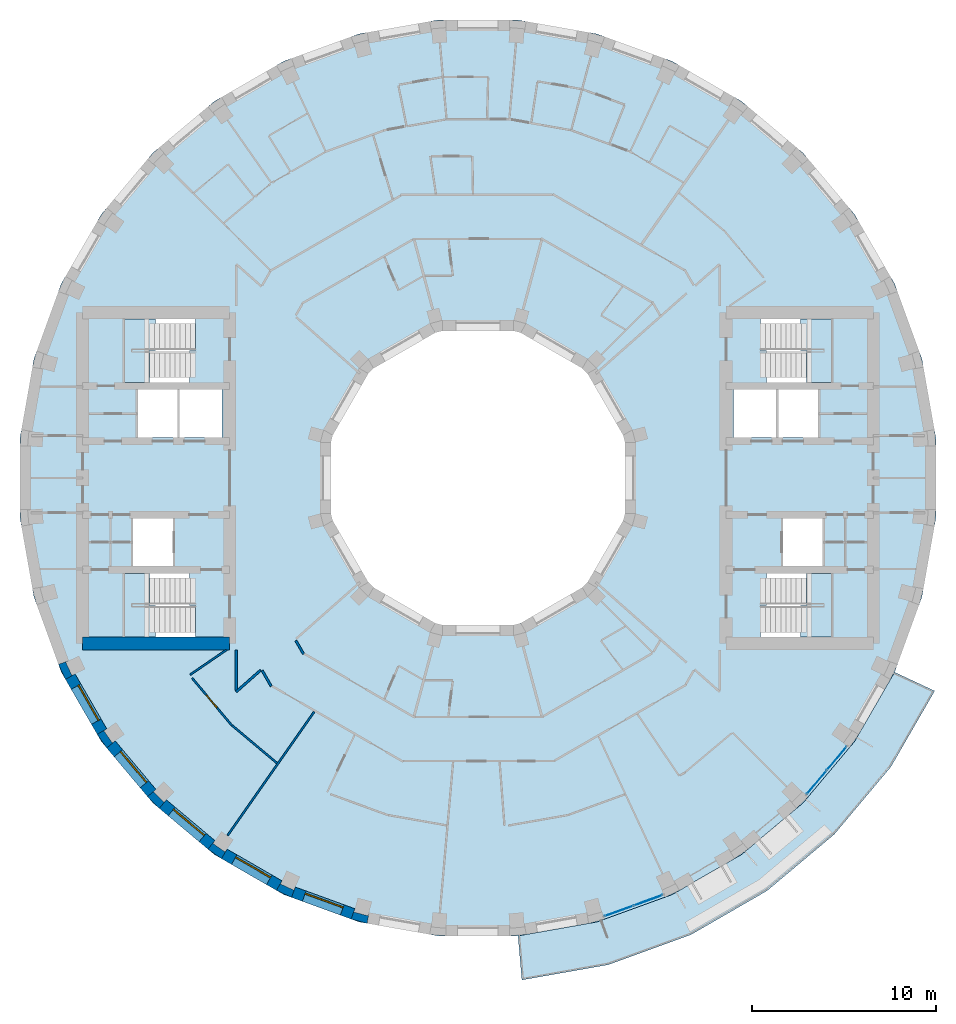
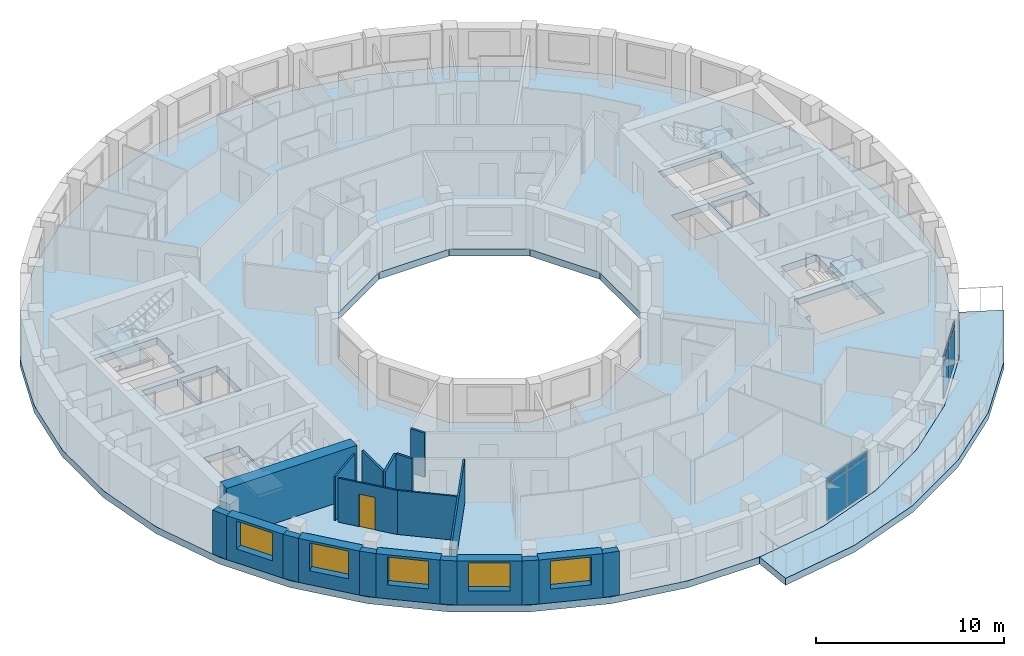
# One storey, part 5 of 15: 20 walls, 8 plates, 6 slabs, 5 windows, 1 door, 6 openings, 6 elements without a shape of their own.
"""IFC4 building model written with IfcOpenShell, lengths in metres."""

from ifc_helpers import new_model, si_unit, direction, frame, frame_2d, origin, origin_2d, place, context, subcontext, project, spatial, polyline, rectangle, outline, extrude, material, layer, layer_set, type_object, element, fill, aggregate, save


model = new_model("IFC4")

# Units and contexts
model_context = context("Model", 3, precision=1e-05, world=origin(), true_north=direction((0.0, 1.0)))
body_context = subcontext(model_context, "Body", "Model", "MODEL_VIEW")
ifc_project = project(units=[si_unit("LENGTHUNIT", "METRE"), si_unit("AREAUNIT", "SQUARE_METRE"), si_unit("VOLUMEUNIT", "CUBIC_METRE"), si_unit("PLANEANGLEUNIT", "RADIAN"), si_unit("MASSUNIT", "GRAM", prefix="KILO")], contexts=[model_context])

# Site, building, storey
site_placement = place(None, origin())
site = spatial("IfcSite", under=ifc_project, at=site_placement, CompositionType="ELEMENT")
building_placement = place(site_placement, origin())
building = spatial("IfcBuilding", under=site, at=building_placement, Name="Saqina Gate Tower", CompositionType="ELEMENT")
storey_placement = place(building_placement, frame((0.0, 0.0, 164.10009765625)))
storey = spatial("IfcBuildingStorey", under=building, at=storey_placement, Name="L46", CompositionType="ELEMENT", Elevation=164.10009765625)

# Curtain wall, plates
ifc_material_1 = material(Name="Aluminium glazing", Category="aluminium")
ifc_layer_1 = layer(ifc_material_1, 0.159912109375)
ifc_layer_set_1 = layer_set([ifc_layer_1], Name="CWT-4")
curtain_wall_type = type_object("IfcCurtainWallType", Name="CWT-4", PredefinedType="NOTDEFINED", material=ifc_layer_set_1)
curtain_wall_1_placement = place(storey_placement, origin())
curtain_wall_1 = element("IfcCurtainWall", 1, at=curtain_wall_1_placement, inside=storey, type_object=curtain_wall_type, Name="Terrace lounge glazing facet 29", PredefinedType="NOTDEFINED")
ifc_material_2 = material(Name="Glass", Category="glass")
ifc_layer_2 = layer(ifc_material_2, 0.028076171875)
ifc_layer_set_2 = layer_set([ifc_layer_2], Name="CWT-4P")
plate_type = type_object("IfcPlateType", Name="CWT-4P", PredefinedType="CURTAIN_PANEL", material=ifc_layer_set_2)
plate_1_placement = place(storey_placement, frame((7.67041015625, -23.5517578125, 0.059814453125), z_axis=(0.0, 0.0, 1.0), x_axis=(0.939690972552, 0.342024671777, 0.0)))
plate_1 = element("IfcPlate", 2, at=plate_1_placement, type_object=plate_type, Name="CW4-29 panel 1.1", PredefinedType="CURTAIN_PANEL", context=body_context, shape_type="SweptSolid", body=[
    extrude(rectangle(XDim=1.634765625, YDim=0.028076171875, at=origin_2d()), origin(), (0.0, 0.0, 1.0), 2.31005859375),
])
plate_2_placement = place(storey_placement, frame((7.67041015625, -23.5517578125, 2.4296875), z_axis=(0.0, 0.0, 1.0), x_axis=(0.939690972552, 0.342024671777, 0.0)))
plate_2 = element("IfcPlate", 3, at=plate_2_placement, type_object=plate_type, Name="CW4-29 panel 1.2", PredefinedType="CURTAIN_PANEL", context=body_context, shape_type="SweptSolid", body=[
    extrude(rectangle(XDim=1.634765625, YDim=0.028076171875, at=origin_2d()), origin(), (0.0, 0.0, 1.0), 0.360107421875),
])
plate_3_placement = place(storey_placement, frame((9.262939453125, -22.97216796875, 0.059814453125), z_axis=(0.0, 0.0, 1.0), x_axis=(0.939690972552, 0.342024671777, 0.0)))
plate_3 = element("IfcPlate", 4, at=plate_3_placement, type_object=plate_type, Name="CW4-29 panel 2.1", PredefinedType="CURTAIN_PANEL", context=body_context, shape_type="SweptSolid", body=[
    extrude(rectangle(XDim=1.634765625, YDim=0.028076171875, at=origin_2d()), origin(), (0.0, 0.0, 1.0), 2.31005859375),
])
plate_4_placement = place(storey_placement, frame((9.262939453125, -22.97216796875, 2.4296875), z_axis=(0.0, 0.0, 1.0), x_axis=(0.939690972552, 0.342024671777, 0.0)))
plate_4 = element("IfcPlate", 5, at=plate_4_placement, type_object=plate_type, Name="CW4-29 panel 2.2", PredefinedType="CURTAIN_PANEL", context=body_context, shape_type="SweptSolid", body=[
    extrude(rectangle(XDim=1.634765625, YDim=0.028076171875, at=origin_2d()), origin(), (0.0, 0.0, 1.0), 0.360107421875),
])
aggregate(curtain_wall_1, [plate_1, plate_2, plate_3, plate_4])

curtain_wall_2_placement = place(storey_placement, origin())
curtain_wall_2 = element("IfcCurtainWall", 6, at=curtain_wall_2_placement, inside=storey, type_object=curtain_wall_type, Name="Terrace lounge glazing facet 32", PredefinedType="NOTDEFINED")
plate_5_placement = place(storey_placement, frame((18.418701171875, -16.561279296875, 0.059814453125), z_axis=(0.0, 0.0, 1.0), x_axis=(0.642789549658, 0.766042815286, 0.0)))
plate_5 = element("IfcPlate", 7, at=plate_5_placement, type_object=plate_type, Name="CW4-32 panel 1.1", PredefinedType="CURTAIN_PANEL", context=body_context, shape_type="SweptSolid", body=[
    extrude(rectangle(XDim=1.635009765625, YDim=0.028076171875, at=origin_2d()), origin(), (0.0, 0.0, 1.0), 2.31005859375),
])
plate_6_placement = place(storey_placement, frame((18.418701171875, -16.561279296875, 2.4296875), z_axis=(0.0, 0.0, 1.0), x_axis=(0.642789549658, 0.766042815286, 0.0)))
plate_6 = element("IfcPlate", 8, at=plate_6_placement, type_object=plate_type, Name="CW4-32 panel 1.2", PredefinedType="CURTAIN_PANEL", context=body_context, shape_type="SweptSolid", body=[
    extrude(rectangle(XDim=1.635009765625, YDim=0.028076171875, at=origin_2d()), origin(), (0.0, 0.0, 1.0), 0.360107421875),
])
plate_7_placement = place(storey_placement, frame((19.508056640625, -15.262939453125, 0.059814453125), z_axis=(0.0, 0.0, 1.0), x_axis=(0.642789549658, 0.766042815286, 0.0)))
plate_7 = element("IfcPlate", 9, at=plate_7_placement, type_object=plate_type, Name="CW4-32 panel 2.1", PredefinedType="CURTAIN_PANEL", context=body_context, shape_type="SweptSolid", body=[
    extrude(rectangle(XDim=1.635009765625, YDim=0.028076171875, at=origin_2d()), origin(), (0.0, 0.0, 1.0), 2.31005859375),
])
plate_8_placement = place(storey_placement, frame((19.508056640625, -15.262939453125, 2.4296875), z_axis=(0.0, 0.0, 1.0), x_axis=(0.642789549658, 0.766042815286, 0.0)))
plate_8 = element("IfcPlate", 10, at=plate_8_placement, type_object=plate_type, Name="CW4-32 panel 2.2", PredefinedType="CURTAIN_PANEL", context=body_context, shape_type="SweptSolid", body=[
    extrude(rectangle(XDim=1.635009765625, YDim=0.028076171875, at=origin_2d()), origin(), (0.0, 0.0, 1.0), 0.360107421875),
])
aggregate(curtain_wall_2, [plate_5, plate_6, plate_7, plate_8])

# Stair, slab
ifc_material_3 = material(Name="Concrete C40/50", Category="concrete")
stair_type = type_object("IfcStairType", Name="EXIT STAIR", PredefinedType="HALF_TURN_STAIR", material=ifc_material_3)
stair_1_placement = place(storey_placement, origin())
stair_1 = element("IfcStair", 11, at=stair_1_placement, inside=storey, type_object=stair_type, Name="EXIT STAIR 1", PredefinedType="HALF_TURN_STAIR")
ifc_material_4 = material(Name="Concrete C40/50", Category="concrete")
ifc_layer_3 = layer(ifc_material_4, 0.25)
ifc_layer_set_3 = layer_set([ifc_layer_3], Name="Concrete C40/50")
slab_type_1 = type_object("IfcSlabType", Name="EXIT STAIR LANDING", PredefinedType="LANDING", material=ifc_layer_set_3)
slab_1_placement = place(storey_placement, frame((0.0, 0.0, 1.39990234375)))
slab_1 = element("IfcSlab", 12, at=slab_1_placement, type_object=slab_type_1, Name="EXIT STAIR 1 LANDING 1", PredefinedType="LANDING", context=body_context, shape_type="SweptSolid", body=[
    extrude(outline(polyline([(19.219970703125, 8.64990234375), (19.219970703125, 5.199951171875), (17.864990234375, 5.199951171875), (17.864990234375, 6.925048828125), (17.534423828125, 6.925048828125), (17.534423828125, 8.64990234375), (17.864990234375, 8.64990234375), (17.8701171875, 8.64990234375), (19.219970703125, 8.64990234375)])), origin(), (0.0, 0.0, 1.0), 0.25),
])
aggregate(stair_1, [slab_1])

stair_2_placement = place(storey_placement, origin())
stair_2 = element("IfcStair", 13, at=stair_2_placement, inside=storey, type_object=stair_type, Name="EXIT STAIR 2", PredefinedType="HALF_TURN_STAIR")
slab_2_placement = place(storey_placement, frame((0.0, 0.0, 1.39990234375)))
slab_2 = element("IfcSlab", 14, at=slab_2_placement, type_object=slab_type_1, Name="EXIT STAIR 2 LANDING 1", PredefinedType="LANDING", context=body_context, shape_type="SweptSolid", body=[
    extrude(outline(polyline([(17.534423828125, -8.64990234375), (17.534423828125, -6.925048828125), (17.864990234375, -6.925048828125), (17.864990234375, -5.199951171875), (19.219970703125, -5.199951171875), (19.219970703125, -8.64990234375), (17.8701171875, -8.64990234375), (17.864990234375, -8.64990234375), (17.534423828125, -8.64990234375)])), origin(), (0.0, 0.0, 1.0), 0.25),
])
aggregate(stair_2, [slab_2])

stair_3_placement = place(storey_placement, origin())
stair_3 = element("IfcStair", 15, at=stair_3_placement, inside=storey, type_object=stair_type, Name="EXIT STAIR 3", PredefinedType="HALF_TURN_STAIR")
slab_3_placement = place(storey_placement, frame((0.0, 0.0, 1.39990234375)))
slab_3 = element("IfcSlab", 16, at=slab_3_placement, type_object=slab_type_1, Name="EXIT STAIR 3 LANDING 1", PredefinedType="LANDING", context=body_context, shape_type="SweptSolid", body=[
    extrude(outline(polyline([(-17.864990234375, 5.199951171875), (-19.219970703125, 5.199951171875), (-19.219970703125, 8.64990234375), (-17.8701171875, 8.64990234375), (-17.864990234375, 8.64990234375), (-17.534423828125, 8.64990234375), (-17.534423828125, 6.925048828125), (-17.864990234375, 6.925048828125), (-17.864990234375, 5.199951171875)])), origin(), (0.0, 0.0, 1.0), 0.25),
])
aggregate(stair_3, [slab_3])

stair_4_placement = place(storey_placement, origin())
stair_4 = element("IfcStair", 17, at=stair_4_placement, inside=storey, type_object=stair_type, Name="EXIT STAIR 4", PredefinedType="HALF_TURN_STAIR")
slab_4_placement = place(storey_placement, frame((0.0, 0.0, 1.39990234375)))
slab_4 = element("IfcSlab", 18, at=slab_4_placement, type_object=slab_type_1, Name="EXIT STAIR 4 LANDING 1", PredefinedType="LANDING", context=body_context, shape_type="SweptSolid", body=[
    extrude(outline(polyline([(-17.534423828125, -6.925048828125), (-17.534423828125, -8.64990234375), (-17.864990234375, -8.64990234375), (-17.8701171875, -8.64990234375), (-19.219970703125, -8.64990234375), (-19.219970703125, -5.199951171875), (-17.864990234375, -5.199951171875), (-17.864990234375, -6.925048828125), (-17.534423828125, -6.925048828125)])), origin(), (0.0, 0.0, 1.0), 0.25),
])
aggregate(stair_4, [slab_4])

# Slabs
ifc_material_5 = material(Name="Concrete C40/50", Category="concrete")
ifc_layer_4 = layer(ifc_material_5, 0.449951171875)
ifc_layer_set_4 = layer_set([ifc_layer_4], Name="Concrete C40/50")
slab_type_2 = type_object("IfcSlabType", Name="STR-POST-TENSIONED FLAT PLATE FLOOR-450", PredefinedType="FLOOR", material=ifc_layer_set_4)
slab_5_placement = place(storey_placement, frame((0.0, 0.0, -0.4501953125)))
element("IfcSlab", 19, at=slab_5_placement, inside=storey, type_object=slab_type_2, Name="L46-SLB01", PredefinedType="FLOOR", context=body_context, shape_type="SweptSolid", body=[
    extrude(outline(polyline([(24.148193359375, -6.470458984375), (24.90478515625, -2.178955078125), (24.90478515625, 2.178955078125), (24.148193359375, 6.470458984375), (22.65771484375, 10.5654296875), (20.478759765625, 14.33935546875), (17.677734375, 17.677734375), (14.33935546875, 20.478759765625), (10.5654296875, 22.65771484375), (6.470458984375, 24.148193359375), (2.178955078125, 24.90478515625), (-2.178955078125, 24.90478515625), (-6.470458984375, 24.148193359375), (-10.5654296875, 22.65771484375), (-14.33935546875, 20.478759765625), (-17.677734375, 17.677734375), (-20.478759765625, 14.33935546875), (-22.65771484375, 10.5654296875), (-24.148193359375, 6.470458984375), (-24.90478515625, 2.178955078125), (-24.90478515625, -2.178955078125), (-24.148193359375, -6.470458984375), (-22.65771484375, -10.5654296875), (-20.478759765625, -14.33935546875), (-17.677734375, -17.677734375), (-14.33935546875, -20.478759765625), (-10.5654296875, -22.65771484375), (-6.470458984375, -24.148193359375), (-2.178955078125, -24.90478515625), (2.178955078125, -24.90478515625), (6.470458984375, -24.148193359375), (10.5654296875, -22.65771484375), (14.33935546875, -20.478759765625), (17.677734375, -17.677734375), (20.478759765625, -14.33935546875), (22.65771484375, -10.5654296875), (24.148193359375, -6.470458984375)]), holes=[polyline([(2.1435546875, 8.0), (5.8564453125, 5.8564453125), (8.0, 2.1435546875), (8.0, -2.1435546875), (5.8564453125, -5.8564453125), (2.1435546875, -8.0), (-2.1435546875, -8.0), (-5.8564453125, -5.8564453125), (-8.0, -2.1435546875), (-8.0, 2.1435546875), (-5.8564453125, 5.8564453125), (-2.1435546875, 8.0), (2.1435546875, 8.0)]), polyline([(-15.35498046875, -8.64990234375), (-19.219970703125, -8.64990234375), (-19.219970703125, -6.925048828125), (-19.219970703125, -5.199951171875), (-15.685546875, -5.199951171875), (-15.685546875, -6.925048828125), (-15.35498046875, -6.925048828125), (-15.35498046875, -8.64990234375)]), polyline([(-16.590087890625, -2.199951171875), (-16.590087890625, -4.800048828125), (-18.75, -4.800048828125), (-18.75, -2.199951171875), (-16.590087890625, -2.199951171875)]), polyline([(-16.340087890625, 4.800048828125), (-16.340087890625, 2.199951171875), (-18.5, 2.199951171875), (-18.5, 4.800048828125), (-16.340087890625, 4.800048828125)]), polyline([(-13.909912109375, 4.800048828125), (-13.909912109375, 2.199951171875), (-16.219970703125, 2.199951171875), (-16.219970703125, 4.800048828125), (-13.909912109375, 4.800048828125)]), polyline([(-19.219970703125, 6.925048828125), (-19.219970703125, 8.64990234375), (-15.35498046875, 8.64990234375), (-15.35498046875, 6.925048828125), (-15.685546875, 6.925048828125), (-15.685546875, 5.199951171875), (-19.219970703125, 5.199951171875), (-19.219970703125, 6.925048828125)]), polyline([(15.35498046875, -8.64990234375), (15.35498046875, -6.925048828125), (15.685546875, -6.925048828125), (15.685546875, -5.199951171875), (19.219970703125, -5.199951171875), (19.219970703125, -6.925048828125), (19.219970703125, -8.64990234375), (15.35498046875, -8.64990234375)]), polyline([(18.75, -2.199951171875), (18.75, -4.800048828125), (16.590087890625, -4.800048828125), (16.590087890625, -2.199951171875), (18.75, -2.199951171875)]), polyline([(16.219970703125, 4.800048828125), (16.219970703125, 2.199951171875), (13.909912109375, 2.199951171875), (13.909912109375, 4.800048828125), (16.219970703125, 4.800048828125)]), polyline([(18.5, 4.800048828125), (18.5, 2.199951171875), (16.340087890625, 2.199951171875), (16.340087890625, 4.800048828125), (18.5, 4.800048828125)]), polyline([(15.685546875, 6.925048828125), (15.35498046875, 6.925048828125), (15.35498046875, 8.64990234375), (19.219970703125, 8.64990234375), (19.219970703125, 6.925048828125), (19.219970703125, 5.199951171875), (15.685546875, 5.199951171875), (15.685546875, 6.925048828125)])]), origin(), (0.0, 0.0, 1.0), 0.4501953125),
])
ifc_material_6 = material(Name="Concrete C40/50", Category="concrete")
ifc_layer_5 = layer(ifc_material_6, 0.449951171875)
ifc_layer_set_5 = layer_set([ifc_layer_5], Name="Concrete C40/50")
slab_type_3 = type_object("IfcSlabType", Name="STR-POST-TENSIONED FLAT PLATE TERRACE-450", PredefinedType="FLOOR", material=ifc_layer_set_5)
slab_6_placement = place(storey_placement, frame((0.0, 0.0, -0.4501953125)))
element("IfcSlab", 20, at=slab_6_placement, inside=storey, type_object=slab_type_3, Name="L46-TRS01", PredefinedType="FLOOR", context=body_context, shape_type="SweptSolid", body=[
    extrude(outline(polyline([(2.178955078125, -24.90478515625), (6.470458984375, -24.148193359375), (10.5654296875, -22.65771484375), (14.33935546875, -20.478759765625), (17.677734375, -17.677734375), (20.478759765625, -14.33935546875), (22.65771484375, -10.5654296875), (24.841064453125, -11.58349609375), (22.452392578125, -15.72119140625), (19.381103515625, -19.381103515625), (15.72119140625, -22.452392578125), (11.58349609375, -24.841064453125), (7.093994140625, -26.475341796875), (2.388916015625, -27.304931640625), (2.178955078125, -24.90478515625)])), origin(), (0.0, 0.0, 1.0), 0.4501953125),
])

# Walls
ifc_material_7 = material(Name="Brick masonry (buff)", Category="masonry")
wall_type_1 = type_object("IfcWallType", Name="BRICK PIER COPING BUFF", PredefinedType="SOLIDWALL", material=ifc_material_7)
wall_1_placement = place(storey_placement, origin())
element("IfcWall", 21, at=wall_1_placement, inside=storey, type_object=wall_type_1, Name="Pier cap L46 column 21", PredefinedType="SOLIDWALL", context=body_context, shape_type="SweptSolid", body=[
    extrude(outline(polyline([(-22.4306640625, -10.958740234375), (-21.9111328125, -10.65869140625), (-22.080810546875, -10.73779296875), (-22.4189453125, -10.0126953125), (-22.249267578125, -9.93359375), (-22.81298828125, -10.138916015625), (-22.4306640625, -10.958740234375)])), origin(), (0.0, 0.0, 1.0), 2.849853515625),
])
wall_2_placement = place(storey_placement, origin())
element("IfcWall", 22, at=wall_2_placement, inside=storey, type_object=wall_type_1, Name="Pier cap L46 column 22", PredefinedType="SOLIDWALL", context=body_context, shape_type="SweptSolid", body=[
    extrude(outline(polyline([(-20.705810546875, -13.9462890625), (-20.18701171875, -14.687255859375), (-19.727294921875, -14.301513671875), (-19.880859375, -14.408935546875), (-20.339599609375, -13.753662109375), (-20.186279296875, -13.646240234375), (-20.705810546875, -13.9462890625)])), origin(), (0.0, 0.0, 1.0), 2.849853515625),
])
wall_3_placement = place(storey_placement, origin())
element("IfcWall", 23, at=wall_3_placement, inside=storey, type_object=wall_type_1, Name="Pier cap L46 column 23", PredefinedType="SOLIDWALL", context=body_context, shape_type="SweptSolid", body=[
    extrude(outline(polyline([(-17.329833984375, -17.969482421875), (-16.944091796875, -17.510009765625), (-17.07666015625, -17.642333984375), (-17.642333984375, -17.07666015625), (-17.510009765625, -16.944091796875), (-17.969482421875, -17.329833984375), (-17.329833984375, -17.969482421875)])), origin(), (0.0, 0.0, 1.0), 2.849853515625),
])
wall_4_placement = place(storey_placement, origin())
element("IfcWall", 24, at=wall_4_placement, inside=storey, type_object=wall_type_1, Name="Pier cap L46 column 24", PredefinedType="SOLIDWALL", context=body_context, shape_type="SweptSolid", body=[
    extrude(outline(polyline([(-14.687255859375, -20.18701171875), (-13.9462890625, -20.705810546875), (-13.646240234375, -20.186279296875), (-13.753662109375, -20.339599609375), (-14.408935546875, -19.880859375), (-14.301513671875, -19.727294921875), (-14.687255859375, -20.18701171875)])), origin(), (0.0, 0.0, 1.0), 2.849853515625),
])
wall_5_placement = place(storey_placement, origin())
element("IfcWall", 25, at=wall_5_placement, inside=storey, type_object=wall_type_1, Name="Pier cap L46 column 25", PredefinedType="SOLIDWALL", context=body_context, shape_type="SweptSolid", body=[
    extrude(outline(polyline([(-10.138916015625, -22.81298828125), (-9.93359375, -22.249267578125), (-10.0126953125, -22.4189453125), (-10.73779296875, -22.080810546875), (-10.65869140625, -21.9111328125), (-10.958740234375, -22.4306640625), (-10.138916015625, -22.81298828125)])), origin(), (0.0, 0.0, 1.0), 2.849853515625),
])
wall_6_placement = place(storey_placement, origin())
element("IfcWall", 26, at=wall_6_placement, inside=storey, type_object=wall_type_1, Name="Pier cap L46 column 26", PredefinedType="SOLIDWALL", context=body_context, shape_type="SweptSolid", body=[
    extrude(outline(polyline([(-6.0234375, -24.22705078125), (-5.919189453125, -23.635986328125), (-5.967529296875, -23.81689453125), (-6.740478515625, -23.610107421875), (-6.69189453125, -23.428955078125), (-6.897216796875, -23.992919921875), (-6.0234375, -24.22705078125)])), origin(), (0.0, 0.0, 1.0), 2.849853515625),
])

# Wall, opening, window
ifc_material_8 = material(Name="Brick masonry (buff)", Category="masonry")
ifc_layer_6 = layer(ifc_material_8, 0.60009765625)
ifc_layer_set_6 = layer_set([ifc_layer_6], Name="FW-BRICK-BUFF")
wall_type_2 = type_object("IfcWallType", Name="FW-BRICK-BUFF", PredefinedType="SOLIDWALL", material=ifc_layer_set_6)
wall_7_placement = place(storey_placement, frame((-22.1708984375, -10.80859375, 0.0), z_axis=(0.0, 0.0, 1.0), x_axis=(0.499998129301, -0.86602648383, 0.0)))
wall_7 = element("IfcWall", 27, at=wall_7_placement, inside=storey, type_object=wall_type_2, Name="Facade wall L46 facet 21", PredefinedType="SOLIDWALL", context=body_context, shape_type="SweptSolid", body=[
    extrude(rectangle(XDim=3.44970703125, YDim=0.60009765625, at=frame_2d((1.724853515625, 0.0))), origin(), (0.0, 0.0, 1.0), 2.849853515625),
])
opening_1_placement = place(wall_7_placement, frame((0.625, 0.0, 0.89990234375)))
opening_1 = element("IfcOpeningElement", 28, at=opening_1_placement, cuts=wall_7, Name="Opening G13-W14", PredefinedType="OPENING", context=body_context, shape_type="SweptSolid", body=[
    extrude(rectangle(XDim=2.199951171875, YDim=1.800048828125, at=frame_2d((1.10009765625, 0.89990234375))), frame((0.0, 0.31201171875, 0.0), z_axis=(0.0, -1.0, 0.0), x_axis=(1.0, 0.0, 0.0)), (0.0, 0.0, 1.0), 0.6240234375),
])
ifc_material_9 = material(Name="Aluminium glazing", Category="aluminium")
window_type = type_object("IfcWindowType", Name="WN-C", PartitioningType="SINGLE_PANEL", PredefinedType="WINDOW", material=ifc_material_9)
window_1_placement = place(opening_1_placement, origin())
window_1 = element("IfcWindow", 29, at=window_1_placement, inside=storey, type_object=window_type, Name="Window L46 facet 21", OverallHeight=1.800048828125, OverallWidth=2.199951171875, PartitioningType="SINGLE_PANEL", PredefinedType="WINDOW", context=body_context, shape_type="SweptSolid", body=[
    extrude(rectangle(XDim=2.199951171875, YDim=1.800048828125, at=frame_2d((1.10009765625, 0.89990234375))), frame((0.0, 0.179931640625, 0.0), z_axis=(0.0, -1.0, 0.0), x_axis=(1.0, 0.0, 0.0)), (0.0, 0.0, 1.0), 0.06005859375),
])
fill(opening_1, window_1)

wall_8_placement = place(storey_placement, frame((-19.95703125, -14.494384765625, 0.0), z_axis=(0.0, 0.0, 1.0), x_axis=(0.642770398358, -0.766058884809, 0.0)))
wall_8 = element("IfcWall", 30, at=wall_8_placement, inside=storey, type_object=wall_type_2, Name="Facade wall L46 facet 22", PredefinedType="SOLIDWALL", context=body_context, shape_type="SweptSolid", body=[
    extrude(rectangle(XDim=3.449462890625, YDim=0.60009765625, at=frame_2d((1.724609375, 0.0))), origin(), (0.0, 0.0, 1.0), 2.849853515625),
])
opening_2_placement = place(wall_8_placement, frame((0.625, 0.0, 0.89990234375)))
opening_2 = element("IfcOpeningElement", 31, at=opening_2_placement, cuts=wall_8, Name="Opening G13-W15", PredefinedType="OPENING", context=body_context, shape_type="SweptSolid", body=[
    extrude(rectangle(XDim=2.199951171875, YDim=1.800048828125, at=frame_2d((1.10009765625, 0.89990234375))), frame((0.0, 0.31201171875, 0.0), z_axis=(0.0, -1.0, 0.0), x_axis=(1.0, 0.0, 0.0)), (0.0, 0.0, 1.0), 0.6240234375),
])
window_2_placement = place(opening_2_placement, origin())
window_2 = element("IfcWindow", 32, at=window_2_placement, inside=storey, type_object=window_type, Name="Window L46 facet 22", OverallHeight=1.800048828125, OverallWidth=2.199951171875, PartitioningType="SINGLE_PANEL", PredefinedType="WINDOW", context=body_context, shape_type="SweptSolid", body=[
    extrude(rectangle(XDim=2.199951171875, YDim=1.800048828125, at=frame_2d((1.10009765625, 0.89990234375))), frame((0.0, 0.179931640625, 0.0), z_axis=(0.0, -1.0, 0.0), x_axis=(1.0, 0.0, 0.0)), (0.0, 0.0, 1.0), 0.06005859375),
])
fill(opening_2, window_2)

wall_9_placement = place(storey_placement, frame((-17.136962890625, -17.73974609375, 0.0), z_axis=(0.0, 0.0, 1.0), x_axis=(0.766058884809, -0.642770398358, 0.0)))
wall_9 = element("IfcWall", 33, at=wall_9_placement, inside=storey, type_object=wall_type_2, Name="Facade wall L46 facet 23", PredefinedType="SOLIDWALL", context=body_context, shape_type="SweptSolid", body=[
    extrude(rectangle(XDim=3.449462890625, YDim=0.60009765625, at=frame_2d((1.724609375, 0.0))), origin(), (0.0, 0.0, 1.0), 2.849853515625),
])
opening_3_placement = place(wall_9_placement, frame((0.625, 0.0, 0.89990234375)))
opening_3 = element("IfcOpeningElement", 34, at=opening_3_placement, cuts=wall_9, Name="Opening G13-W16", PredefinedType="OPENING", context=body_context, shape_type="SweptSolid", body=[
    extrude(rectangle(XDim=2.199951171875, YDim=1.800048828125, at=frame_2d((1.10009765625, 0.89990234375))), frame((0.0, 0.31201171875, 0.0), z_axis=(0.0, -1.0, 0.0), x_axis=(1.0, 0.0, 0.0)), (0.0, 0.0, 1.0), 0.6240234375),
])
window_3_placement = place(opening_3_placement, origin())
window_3 = element("IfcWindow", 35, at=window_3_placement, inside=storey, type_object=window_type, Name="Window L46 facet 23", OverallHeight=1.800048828125, OverallWidth=2.199951171875, PartitioningType="SINGLE_PANEL", PredefinedType="WINDOW", context=body_context, shape_type="SweptSolid", body=[
    extrude(rectangle(XDim=2.199951171875, YDim=1.800048828125, at=frame_2d((1.10009765625, 0.89990234375))), frame((0.0, 0.179931640625, 0.0), z_axis=(0.0, -1.0, 0.0), x_axis=(1.0, 0.0, 0.0)), (0.0, 0.0, 1.0), 0.06005859375),
])
fill(opening_3, window_3)

wall_10_placement = place(storey_placement, frame((-13.796142578125, -20.446044921875, 0.0), z_axis=(0.0, 0.0, 1.0), x_axis=(0.86602648383, -0.499998129301, 0.0)))
wall_10 = element("IfcWall", 36, at=wall_10_placement, inside=storey, type_object=wall_type_2, Name="Facade wall L46 facet 24", PredefinedType="SOLIDWALL", context=body_context, shape_type="SweptSolid", body=[
    extrude(rectangle(XDim=3.44970703125, YDim=0.60009765625, at=frame_2d((1.724853515625, 0.0))), origin(), (0.0, 0.0, 1.0), 2.849853515625),
])
opening_4_placement = place(wall_10_placement, frame((0.625, 0.0, 0.89990234375)))
opening_4 = element("IfcOpeningElement", 37, at=opening_4_placement, cuts=wall_10, Name="Opening G13-W17", PredefinedType="OPENING", context=body_context, shape_type="SweptSolid", body=[
    extrude(rectangle(XDim=2.199951171875, YDim=1.800048828125, at=frame_2d((1.10009765625, 0.89990234375))), frame((0.0, 0.31201171875, 0.0), z_axis=(0.0, -1.0, 0.0), x_axis=(1.0, 0.0, 0.0)), (0.0, 0.0, 1.0), 0.6240234375),
])
window_4_placement = place(opening_4_placement, origin())
window_4 = element("IfcWindow", 38, at=window_4_placement, inside=storey, type_object=window_type, Name="Window L46 facet 24", OverallHeight=1.800048828125, OverallWidth=2.199951171875, PartitioningType="SINGLE_PANEL", PredefinedType="WINDOW", context=body_context, shape_type="SweptSolid", body=[
    extrude(rectangle(XDim=2.199951171875, YDim=1.800048828125, at=frame_2d((1.10009765625, 0.89990234375))), frame((0.0, 0.179931640625, 0.0), z_axis=(0.0, -1.0, 0.0), x_axis=(1.0, 0.0, 0.0)), (0.0, 0.0, 1.0), 0.06005859375),
])
fill(opening_4, window_4)

wall_11_placement = place(storey_placement, frame((-10.0361328125, -22.531005859375, 0.0), z_axis=(0.0, 0.0, 1.0), x_axis=(0.93968799822, -0.342032843455, 0.0)))
wall_11 = element("IfcWall", 39, at=wall_11_placement, inside=storey, type_object=wall_type_2, Name="Facade wall L46 facet 25", PredefinedType="SOLIDWALL", context=body_context, shape_type="SweptSolid", body=[
    extrude(rectangle(XDim=3.44970703125, YDim=0.60009765625, at=frame_2d((1.724853515625, 0.0))), origin(), (0.0, 0.0, 1.0), 2.849853515625),
])
opening_5_placement = place(wall_11_placement, frame((0.625, 0.0, 0.89990234375)))
opening_5 = element("IfcOpeningElement", 40, at=opening_5_placement, cuts=wall_11, Name="Opening G13-W18", PredefinedType="OPENING", context=body_context, shape_type="SweptSolid", body=[
    extrude(rectangle(XDim=2.199951171875, YDim=1.800048828125, at=frame_2d((1.10009765625, 0.89990234375))), frame((0.0, 0.31201171875, 0.0), z_axis=(0.0, -1.0, 0.0), x_axis=(1.0, 0.0, 0.0)), (0.0, 0.0, 1.0), 0.6240234375),
])
window_5_placement = place(opening_5_placement, origin())
window_5 = element("IfcWindow", 41, at=window_5_placement, inside=storey, type_object=window_type, Name="Window L46 facet 25", OverallHeight=1.800048828125, OverallWidth=2.199951171875, PartitioningType="SINGLE_PANEL", PredefinedType="WINDOW", context=body_context, shape_type="SweptSolid", body=[
    extrude(rectangle(XDim=2.199951171875, YDim=1.800048828125, at=frame_2d((1.10009765625, 0.89990234375))), frame((0.0, 0.179931640625, 0.0), z_axis=(0.0, -1.0, 0.0), x_axis=(1.0, 0.0, 0.0)), (0.0, 0.0, 1.0), 0.06005859375),
])
fill(opening_5, window_5)

# Wall, opening, door
ifc_material_10 = material(Name="Gypsum board on steel studs, 100 mm", Category="steel")
ifc_layer_7 = layer(ifc_material_10, 0.10009765625)
ifc_layer_set_7 = layer_set([ifc_layer_7], Name="PARTITION 100")
wall_type_3 = type_object("IfcWallType", Name="PARTITION 100", PredefinedType="PARTITIONING", material=ifc_layer_set_7)
wall_12_placement = place(storey_placement, frame((-15.544921875, -10.885009765625, 0.0), z_axis=(0.0, 0.0, 1.0), x_axis=(0.642690725871, -0.766125727854, 0.0)))
wall_12 = element("IfcWall", 42, at=wall_12_placement, inside=storey, type_object=wall_type_3, Name="PARTITION PW3-16", PredefinedType="PARTITIONING", context=body_context, shape_type="SweptSolid", body=[
    extrude(rectangle(XDim=3.3583984375, YDim=0.10009765625, at=frame_2d((1.67919921875, 0.0))), origin(), (0.0, 0.0, 1.0), 2.849853515625),
])
opening_6_placement = place(wall_12_placement, frame((1.203857421875, 0.0, 0.0)))
opening_6 = element("IfcOpeningElement", 43, at=opening_6_placement, cuts=wall_12, Name="Opening G13-D27", PredefinedType="OPENING", context=body_context, shape_type="SweptSolid", body=[
    extrude(rectangle(XDim=0.89990234375, YDim=2.10009765625, at=frame_2d((0.449951171875, 1.050048828125))), frame((0.0, 0.06201171875, 0.0), z_axis=(0.0, -1.0, 0.0), x_axis=(1.0, 0.0, 0.0)), (0.0, 0.0, 1.0), 0.1240234375),
])
ifc_material_11 = material(Name="Timber door leaf, 900 mm", Category="wood")
door_type = type_object("IfcDoorType", Name="DOOR 900 TIMBER", OperationType="SINGLE_SWING_LEFT", PredefinedType="DOOR", material=ifc_material_11)
door_placement = place(opening_6_placement, frame((0.89990234375, 0.0, 0.0), z_axis=(0.0, 0.0, 1.0), x_axis=(-1.0, 0.0, 0.0)))
door = element("IfcDoor", 44, at=door_placement, inside=storey, type_object=door_type, Name="DOOR G13-D27", OperationType="SINGLE_SWING_RIGHT", OverallHeight=2.10009765625, OverallWidth=0.89990234375, PredefinedType="DOOR", context=body_context, shape_type="SweptSolid", body=[
    extrude(rectangle(XDim=0.89990234375, YDim=2.10009765625, at=frame_2d((0.449951171875, 1.050048828125))), frame((0.0, 0.02490234375, 0.0), z_axis=(0.0, -1.0, 0.0), x_axis=(1.0, 0.0, 0.0)), (0.0, 0.0, 1.0), 0.050048828125),
])
fill(opening_6, door)

# Walls
wall_13_placement = place(storey_placement, frame((-13.380615234375, -13.451171875, 0.0), z_axis=(0.0, 0.0, 1.0), x_axis=(0.766064597799, -0.642763589509, 0.0)))
element("IfcWall", 45, at=wall_13_placement, inside=storey, type_object=wall_type_3, Name="PARTITION PW3-21", PredefinedType="PARTITIONING", context=body_context, shape_type="SweptSolid", body=[
    extrude(rectangle(XDim=3.207763671875, YDim=0.10009765625, at=frame_2d((1.60400390625, 0.0))), origin(), (0.0, 0.0, 1.0), 2.849853515625),
])
wall_14_placement = place(storey_placement, frame((-15.64990234375, -10.701904296875, 0.0), z_axis=(0.0, 0.0, 1.0), x_axis=(0.82545226585, 0.564471927382, 0.0)))
element("IfcWall", 46, at=wall_14_placement, inside=storey, type_object=wall_type_3, Name="PARTITION PW3-47", PredefinedType="PARTITIONING", context=body_context, shape_type="SweptSolid", body=[
    extrude(rectangle(XDim=2.394775390625, YDim=0.10009765625, at=frame_2d((1.197265625, 0.0))), origin(), (0.0, 0.0, 1.0), 2.849853515625),
])
wall_15_placement = place(storey_placement, frame((-13.616943359375, -19.446533203125, 0.0), z_axis=(0.0, 0.0, 1.0), x_axis=(0.573585951544, 0.819145381597, 0.0)))
element("IfcWall", 47, at=wall_15_placement, inside=storey, type_object=wall_type_3, Name="PARTITION PW3-54", PredefinedType="PARTITIONING", context=body_context, shape_type="SweptSolid", body=[
    extrude(rectangle(XDim=8.21826171875, YDim=0.10009765625, at=frame_2d((4.109130859375, 0.0))), origin(), (0.0, 0.0, 1.0), 2.849853515625),
])
ifc_material_12 = material(Name="Gypsum board on steel studs, 125 mm, fire rated", Category="steel")
ifc_layer_8 = layer(ifc_material_12, 0.125)
ifc_layer_set_8 = layer_set([ifc_layer_8], Name="PARTITION EI 30 125")
wall_type_4 = type_object("IfcWallType", Name="PARTITION EI 30 125", PredefinedType="PARTITIONING", material=ifc_layer_set_8)
wall_16_placement = place(storey_placement, frame((-11.73876953125, -10.46728515625, 0.0), z_axis=(0.0, 0.0, 1.0), x_axis=(0.499097354853, -0.866545919371, 0.0)))
element("IfcWall", 48, at=wall_16_placement, inside=storey, type_object=wall_type_4, Name="PARTITION PW1-01", PredefinedType="PARTITIONING", context=body_context, shape_type="SweptSolid", body=[
    extrude(rectangle(XDim=1.003173828125, YDim=0.125, at=frame_2d((0.50146484375, 0.0))), origin(), (0.0, 0.0, 1.0), 2.849853515625),
])
wall_17_placement = place(storey_placement, frame((-9.90478515625, -8.84521484375, 0.0), z_axis=(0.0, 0.0, 1.0), x_axis=(0.499855389907, -0.866108878364, 0.0)))
element("IfcWall", 49, at=wall_17_placement, inside=storey, type_object=wall_type_4, Name="PARTITION PW1-03", PredefinedType="PARTITIONING", context=body_context, shape_type="SweptSolid", body=[
    extrude(rectangle(XDim=0.847900390625, YDim=0.125, at=frame_2d((0.423828125, 0.0))), origin(), (0.0, 0.0, 1.0), 2.849853515625),
])
wall_18_placement = place(storey_placement, frame((-13.14990234375, -11.634033203125, 0.0), z_axis=(0.0, 0.0, 1.0), x_axis=(0.748988708904, 0.662582760065, 0.0)))
element("IfcWall", 50, at=wall_18_placement, inside=storey, type_object=wall_type_4, Name="PARTITION PW1-30", PredefinedType="PARTITIONING", context=body_context, shape_type="SweptSolid", body=[
    extrude(rectangle(XDim=1.780029296875, YDim=0.125, at=frame_2d((0.89013671875, 0.0))), origin(), (0.0, 0.0, 1.0), 2.849853515625),
])
wall_19_placement = place(storey_placement, frame((-13.14990234375, -11.571533203125, 0.0), z_axis=(0.0, 0.0, 1.0), x_axis=(0.0, 1.0, 0.0)))
element("IfcWall", 51, at=wall_19_placement, inside=storey, type_object=wall_type_4, Name="PARTITION PW1-40", PredefinedType="PARTITIONING", context=body_context, shape_type="SweptSolid", body=[
    extrude(rectangle(XDim=2.221435546875, YDim=0.125, at=frame_2d((1.11083984375, 0.0))), origin(), (0.0, 0.0, 1.0), 2.849853515625),
])
ifc_material_13 = material(Name="Concrete C60/75", Category="concrete")
ifc_layer_9 = layer(ifc_material_13, 0.699951171875)
ifc_layer_set_9 = layer_set([ifc_layer_9], Name="Concrete C60/75")
wall_type_5 = type_object("IfcWallType", Name="STR-CORE WALL-C-O", PredefinedType="SHEAR", material=ifc_layer_set_9)
wall_20_placement = place(storey_placement, frame((-13.5, -9.0, 0.0), z_axis=(0.0, 0.0, 1.0), x_axis=(-1.0, 0.0, 0.0)))
element("IfcWall", 52, at=wall_20_placement, inside=storey, type_object=wall_type_5, Name="CORE WALL L46 W-SE", PredefinedType="SHEAR", context=body_context, shape_type="SweptSolid", body=[
    extrude(rectangle(XDim=8.0, YDim=0.699951171875, at=frame_2d((4.0, 0.0))), origin(), (0.0, 0.0, 1.0), 3.2998046875),
])

save(model, "model.ifc")
